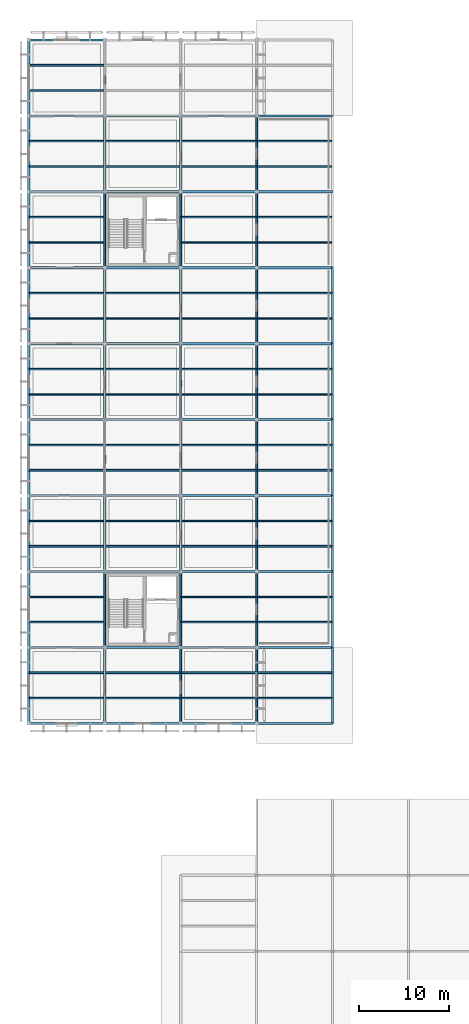
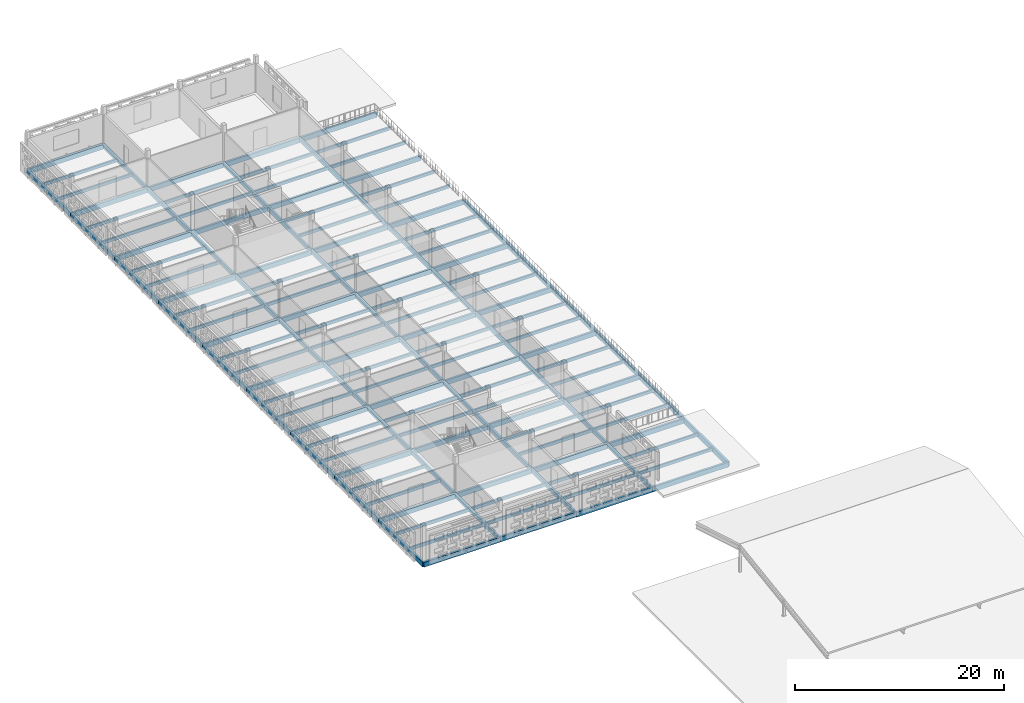
# One storey, part 7 of 31: 139 beams.
"""IFC4 building model written with IfcOpenShell, lengths in metres."""

from ifc_helpers import new_model, si_unit, direction, frame, origin, origin_2d, place, context, subcontext, project, spatial, rectangle, extrude, material, material_profile, profile_set, type_object, element, save


model = new_model("IFC4")

# Units and contexts
model_context = context("Model", 3, precision=1e-05, world=origin(), true_north=direction((0.0, 1.0)))
body_context = subcontext(model_context, "Body", "Model", "MODEL_VIEW")
ifc_project = project(units=[si_unit("LENGTHUNIT", "METRE"), si_unit("AREAUNIT", "SQUARE_METRE"), si_unit("VOLUMEUNIT", "CUBIC_METRE"), si_unit("PLANEANGLEUNIT", "RADIAN"), si_unit("MASSUNIT", "GRAM", prefix="KILO")], contexts=[model_context])

# Site, building, storey
site_placement = place(None, origin())
site = spatial("IfcSite", under=ifc_project, at=site_placement, CompositionType="ELEMENT")
building_placement = place(site_placement, origin())
building = spatial("IfcBuilding", under=site, at=building_placement, Name="Varnapada Polytechnic", CompositionType="ELEMENT")
storey_placement = place(building_placement, frame((0.0, 0.0, 22.199951171875)))
storey = spatial("IfcBuildingStorey", under=building, at=storey_placement, Name="L05", CompositionType="ELEMENT", Elevation=22.199951171875)

# Beams
ifc_material = material(Name="Glulam GL32h", Category="wood")
ifc_material_profile_1 = material_profile(ifc_material, rectangle(XDim=0.239990234375, YDim=0.56005859375, at=origin_2d()), Name="GL 240x560")
ifc_profile_set_1 = profile_set([ifc_material_profile_1], Name="Glulam GL32h")
beam_type_1 = type_object("IfcBeamType", Name="Perimeter glulam spandrel beam SP-02 (GL 240x560)", PredefinedType="SPANDREL", material=ifc_profile_set_1)
for number, where, z_axis, x_axis, name in (
    (1, (0.0, 50.39990234375, -0.5), (1.0, 0.0, 0.0), (0.0, 1.0, 0.0), "L05 beam X 1-2 at Y7"),
    (2, (0.0, 126.0, -0.5), (1.0, 0.0, 0.0), (0.0, 1.0, 0.0), "L05 beam X 1-2 at Y16"),
):
    element("IfcBeam", number, at=place(storey_placement, frame(where, z_axis=z_axis, x_axis=x_axis)), inside=storey, type_object=beam_type_1, Name=name, PredefinedType="SPANDREL", context=body_context, shape_type="SweptSolid", body=[
        extrude(rectangle(XDim=0.239990234375, YDim=0.56005859375, at=origin_2d()), origin(), (0.0, 0.0, 1.0), 8.39990234375),
    ])
beam_1_placement = place(storey_placement, frame((8.39990234375, 50.39990234375, -0.5), z_axis=(1.0, 0.0, 0.0), x_axis=(0.0, 1.0, 0.0)))
element("IfcBeam", 3, at=beam_1_placement, inside=storey, type_object=beam_type_1, Name="L05 beam X 2-3 at Y7", PredefinedType="SPANDREL", context=body_context, shape_type="SweptSolid", body=[
    extrude(rectangle(XDim=0.239990234375, YDim=0.56005859375, at=origin_2d()), origin(), (0.0, 0.0, 1.0), 8.400146484375),
])
beam_2_placement = place(storey_placement, frame((16.800048828125, 50.39990234375, -0.550048828125), z_axis=(1.0, 0.0, 0.0), x_axis=(0.0, 1.0, 0.0)))
element("IfcBeam", 4, at=beam_2_placement, inside=storey, type_object=beam_type_1, Name="L05 beam X 3-4 at Y7", PredefinedType="SPANDREL", context=body_context, shape_type="SweptSolid", body=[
    extrude(rectangle(XDim=0.239990234375, YDim=0.56005859375, at=origin_2d()), origin(), (0.0, 0.0, 1.0), 8.39990234375),
])
for number, where, z_axis, x_axis, name in (
    (5, (25.199951171875, 50.39990234375, -0.550048828125), (1.0, 0.0, 0.0), (0.0, 1.0, 0.0), "L05 beam X 4-5 at Y7"),
    (6, (0.0, 50.39990234375, -0.5), (0.0, 1.0, 0.0), (-1.0, 0.0, 0.0), "L05 beam Y 7-8 at X1"),
):
    element("IfcBeam", number, at=place(storey_placement, frame(where, z_axis=z_axis, x_axis=x_axis)), inside=storey, type_object=beam_type_1, Name=name, PredefinedType="SPANDREL", context=body_context, shape_type="SweptSolid", body=[
        extrude(rectangle(XDim=0.239990234375, YDim=0.56005859375, at=origin_2d()), origin(), (0.0, 0.0, 1.0), 8.400146484375),
    ])
beam_3_placement = place(storey_placement, frame((0.0, 58.800048828125, -0.5), z_axis=(0.0, 1.0, 0.0), x_axis=(-1.0, 0.0, 0.0)))
element("IfcBeam", 7, at=beam_3_placement, inside=storey, type_object=beam_type_1, Name="L05 beam Y 8-9 at X1", PredefinedType="SPANDREL", context=body_context, shape_type="SweptSolid", body=[
    extrude(rectangle(XDim=0.239990234375, YDim=0.56005859375, at=origin_2d()), origin(), (0.0, 0.0, 1.0), 8.39990234375),
])
beam_4_placement = place(storey_placement, frame((0.0, 67.199951171875, -0.5), z_axis=(0.0, 1.0, 0.0), x_axis=(-1.0, 0.0, 0.0)))
element("IfcBeam", 8, at=beam_4_placement, inside=storey, type_object=beam_type_1, Name="L05 beam Y 9-10 at X1", PredefinedType="SPANDREL", context=body_context, shape_type="SweptSolid", body=[
    extrude(rectangle(XDim=0.239990234375, YDim=0.56005859375, at=origin_2d()), origin(), (0.0, 0.0, 1.0), 8.400146484375),
])
for number, where, z_axis, x_axis, name in (
    (9, (0.0, 75.60009765625, -0.5), (0.0, 1.0, 0.0), (-1.0, 0.0, 0.0), "L05 beam Y 10-11 at X1"),
    (10, (0.0, 84.0, -0.5), (0.0, 1.0, 0.0), (-1.0, 0.0, 0.0), "L05 beam Y 11-12 at X1"),
):
    element("IfcBeam", number, at=place(storey_placement, frame(where, z_axis=z_axis, x_axis=x_axis)), inside=storey, type_object=beam_type_1, Name=name, PredefinedType="SPANDREL", context=body_context, shape_type="SweptSolid", body=[
        extrude(rectangle(XDim=0.239990234375, YDim=0.56005859375, at=origin_2d()), origin(), (0.0, 0.0, 1.0), 8.39990234375),
    ])
beam_5_placement = place(storey_placement, frame((0.0, 92.39990234375, -0.5), z_axis=(0.0, 1.0, 0.0), x_axis=(-1.0, 0.0, 0.0)))
element("IfcBeam", 11, at=beam_5_placement, inside=storey, type_object=beam_type_1, Name="L05 beam Y 12-13 at X1", PredefinedType="SPANDREL", context=body_context, shape_type="SweptSolid", body=[
    extrude(rectangle(XDim=0.239990234375, YDim=0.56005859375, at=origin_2d()), origin(), (0.0, 0.0, 1.0), 8.400146484375),
])
beam_6_placement = place(storey_placement, frame((0.0, 100.800048828125, -0.5), z_axis=(0.0, 1.0, 0.0), x_axis=(-1.0, 0.0, 0.0)))
element("IfcBeam", 12, at=beam_6_placement, inside=storey, type_object=beam_type_1, Name="L05 beam Y 13-14 at X1", PredefinedType="SPANDREL", context=body_context, shape_type="SweptSolid", body=[
    extrude(rectangle(XDim=0.239990234375, YDim=0.56005859375, at=origin_2d()), origin(), (0.0, 0.0, 1.0), 8.39990234375),
])
beam_7_placement = place(storey_placement, frame((0.0, 109.199951171875, -0.5), z_axis=(0.0, 1.0, 0.0), x_axis=(-1.0, 0.0, 0.0)))
element("IfcBeam", 13, at=beam_7_placement, inside=storey, type_object=beam_type_1, Name="L05 beam Y 14-15 at X1", PredefinedType="SPANDREL", context=body_context, shape_type="SweptSolid", body=[
    extrude(rectangle(XDim=0.239990234375, YDim=0.56005859375, at=origin_2d()), origin(), (0.0, 0.0, 1.0), 8.400146484375),
])
beam_8_placement = place(storey_placement, frame((0.0, 117.60009765625, -0.5), z_axis=(0.0, 1.0, 0.0), x_axis=(-1.0, 0.0, 0.0)))
element("IfcBeam", 14, at=beam_8_placement, inside=storey, type_object=beam_type_1, Name="L05 beam Y 15-16 at X1", PredefinedType="SPANDREL", context=body_context, shape_type="SweptSolid", body=[
    extrude(rectangle(XDim=0.239990234375, YDim=0.56005859375, at=origin_2d()), origin(), (0.0, 0.0, 1.0), 8.39990234375),
])
beam_9_placement = place(storey_placement, frame((33.60009765625, 50.39990234375, -0.550048828125), z_axis=(0.0, 1.0, 0.0), x_axis=(-1.0, 0.0, 0.0)))
element("IfcBeam", 15, at=beam_9_placement, inside=storey, type_object=beam_type_1, Name="L05 beam Y 7-8 at X5", PredefinedType="SPANDREL", context=body_context, shape_type="SweptSolid", body=[
    extrude(rectangle(XDim=0.239990234375, YDim=0.56005859375, at=origin_2d()), origin(), (0.0, 0.0, 1.0), 8.400146484375),
])
beam_10_placement = place(storey_placement, frame((33.60009765625, 58.800048828125, -0.550048828125), z_axis=(0.0, 1.0, 0.0), x_axis=(-1.0, 0.0, 0.0)))
element("IfcBeam", 16, at=beam_10_placement, inside=storey, type_object=beam_type_1, Name="L05 beam Y 8-9 at X5", PredefinedType="SPANDREL", context=body_context, shape_type="SweptSolid", body=[
    extrude(rectangle(XDim=0.239990234375, YDim=0.56005859375, at=origin_2d()), origin(), (0.0, 0.0, 1.0), 8.39990234375),
])
beam_11_placement = place(storey_placement, frame((33.60009765625, 67.199951171875, -0.510009765625), z_axis=(0.0, 1.0, 0.0), x_axis=(-1.0, 0.0, 0.0)))
element("IfcBeam", 17, at=beam_11_placement, inside=storey, type_object=beam_type_1, Name="L05 beam Y 9-10 at X5", PredefinedType="SPANDREL", context=body_context, shape_type="SweptSolid", body=[
    extrude(rectangle(XDim=0.239990234375, YDim=0.56005859375, at=origin_2d()), origin(), (0.0, 0.0, 1.0), 8.400146484375),
])
for number, where, z_axis, x_axis, name in (
    (18, (33.60009765625, 75.60009765625, -0.510009765625), (0.0, 1.0, 0.0), (-1.0, 0.0, 0.0), "L05 beam Y 10-11 at X5"),
    (19, (33.60009765625, 84.0, -0.510009765625), (0.0, 1.0, 0.0), (-1.0, 0.0, 0.0), "L05 beam Y 11-12 at X5"),
):
    element("IfcBeam", number, at=place(storey_placement, frame(where, z_axis=z_axis, x_axis=x_axis)), inside=storey, type_object=beam_type_1, Name=name, PredefinedType="SPANDREL", context=body_context, shape_type="SweptSolid", body=[
        extrude(rectangle(XDim=0.239990234375, YDim=0.56005859375, at=origin_2d()), origin(), (0.0, 0.0, 1.0), 8.39990234375),
    ])
beam_12_placement = place(storey_placement, frame((33.60009765625, 92.39990234375, -0.510009765625), z_axis=(0.0, 1.0, 0.0), x_axis=(-1.0, 0.0, 0.0)))
element("IfcBeam", 20, at=beam_12_placement, inside=storey, type_object=beam_type_1, Name="L05 beam Y 12-13 at X5", PredefinedType="SPANDREL", context=body_context, shape_type="SweptSolid", body=[
    extrude(rectangle(XDim=0.239990234375, YDim=0.56005859375, at=origin_2d()), origin(), (0.0, 0.0, 1.0), 8.400146484375),
])
ifc_material_profile_2 = material_profile(ifc_material, rectangle(XDim=0.239990234375, YDim=0.56005859375, at=origin_2d()), Name="GL 240x560")
ifc_profile_set_2 = profile_set([ifc_material_profile_2], Name="Glulam GL32h")
beam_type_2 = type_object("IfcBeamType", Name="Studio primary glulam girder GG-03 (GL 240x560)", PredefinedType="BEAM", material=ifc_profile_set_2)
for number, where, z_axis, x_axis, name in (
    (21, (0.0, 58.800048828125, -0.5), (1.0, 0.0, 0.0), (0.0, 1.0, 0.0), "L05 beam X 1-2 at Y8"),
    (22, (0.0, 67.199951171875, -0.5), (1.0, 0.0, 0.0), (0.0, 1.0, 0.0), "L05 beam X 1-2 at Y9"),
    (23, (0.0, 75.60009765625, -0.5), (1.0, 0.0, 0.0), (0.0, 1.0, 0.0), "L05 beam X 1-2 at Y10"),
    (24, (0.0, 84.0, -0.5), (1.0, 0.0, 0.0), (0.0, 1.0, 0.0), "L05 beam X 1-2 at Y11"),
    (25, (0.0, 92.39990234375, -0.5), (1.0, 0.0, 0.0), (0.0, 1.0, 0.0), "L05 beam X 1-2 at Y12"),
    (26, (0.0, 100.800048828125, -0.5), (1.0, 0.0, 0.0), (0.0, 1.0, 0.0), "L05 beam X 1-2 at Y13"),
    (27, (0.0, 109.199951171875, -0.5), (1.0, 0.0, 0.0), (0.0, 1.0, 0.0), "L05 beam X 1-2 at Y14"),
    (28, (0.0, 117.60009765625, -0.5), (1.0, 0.0, 0.0), (0.0, 1.0, 0.0), "L05 beam X 1-2 at Y15"),
):
    element("IfcBeam", number, at=place(storey_placement, frame(where, z_axis=z_axis, x_axis=x_axis)), inside=storey, type_object=beam_type_2, Name=name, PredefinedType="BEAM", context=body_context, shape_type="SweptSolid", body=[
        extrude(rectangle(XDim=0.239990234375, YDim=0.56005859375, at=origin_2d()), origin(), (0.0, 0.0, 1.0), 8.39990234375),
    ])
for number, where, z_axis, x_axis, name in (
    (29, (8.39990234375, 58.800048828125, -0.5), (1.0, 0.0, 0.0), (0.0, 1.0, 0.0), "L05 beam X 2-3 at Y8"),
    (30, (8.39990234375, 67.199951171875, -0.5), (1.0, 0.0, 0.0), (0.0, 1.0, 0.0), "L05 beam X 2-3 at Y9"),
    (31, (8.39990234375, 75.60009765625, -0.5), (1.0, 0.0, 0.0), (0.0, 1.0, 0.0), "L05 beam X 2-3 at Y10"),
    (32, (8.39990234375, 84.0, -0.5), (1.0, 0.0, 0.0), (0.0, 1.0, 0.0), "L05 beam X 2-3 at Y11"),
    (33, (8.39990234375, 92.39990234375, -0.5), (1.0, 0.0, 0.0), (0.0, 1.0, 0.0), "L05 beam X 2-3 at Y12"),
    (34, (8.39990234375, 100.800048828125, -0.5), (1.0, 0.0, 0.0), (0.0, 1.0, 0.0), "L05 beam X 2-3 at Y13"),
    (35, (8.39990234375, 109.199951171875, -0.5), (1.0, 0.0, 0.0), (0.0, 1.0, 0.0), "L05 beam X 2-3 at Y14"),
    (36, (8.39990234375, 117.60009765625, -0.5), (1.0, 0.0, 0.0), (0.0, 1.0, 0.0), "L05 beam X 2-3 at Y15"),
):
    element("IfcBeam", number, at=place(storey_placement, frame(where, z_axis=z_axis, x_axis=x_axis)), inside=storey, type_object=beam_type_2, Name=name, PredefinedType="BEAM", context=body_context, shape_type="SweptSolid", body=[
        extrude(rectangle(XDim=0.239990234375, YDim=0.56005859375, at=origin_2d()), origin(), (0.0, 0.0, 1.0), 8.400146484375),
    ])
for number, where, z_axis, x_axis, name in (
    (37, (16.800048828125, 58.800048828125, -0.550048828125), (1.0, 0.0, 0.0), (0.0, 1.0, 0.0), "L05 beam X 3-4 at Y8"),
    (38, (16.800048828125, 67.199951171875, -0.510009765625), (1.0, 0.0, 0.0), (0.0, 1.0, 0.0), "L05 beam X 3-4 at Y9"),
    (39, (16.800048828125, 75.60009765625, -0.510009765625), (1.0, 0.0, 0.0), (0.0, 1.0, 0.0), "L05 beam X 3-4 at Y10"),
    (40, (16.800048828125, 84.0, -0.510009765625), (1.0, 0.0, 0.0), (0.0, 1.0, 0.0), "L05 beam X 3-4 at Y11"),
    (41, (16.800048828125, 92.39990234375, -0.510009765625), (1.0, 0.0, 0.0), (0.0, 1.0, 0.0), "L05 beam X 3-4 at Y12"),
    (42, (16.800048828125, 100.800048828125, -0.510009765625), (1.0, 0.0, 0.0), (0.0, 1.0, 0.0), "L05 beam X 3-4 at Y13"),
    (43, (16.800048828125, 109.199951171875, -0.510009765625), (1.0, 0.0, 0.0), (0.0, 1.0, 0.0), "L05 beam X 3-4 at Y14"),
    (44, (16.800048828125, 117.60009765625, -0.550048828125), (1.0, 0.0, 0.0), (0.0, 1.0, 0.0), "L05 beam X 3-4 at Y15"),
):
    element("IfcBeam", number, at=place(storey_placement, frame(where, z_axis=z_axis, x_axis=x_axis)), inside=storey, type_object=beam_type_2, Name=name, PredefinedType="BEAM", context=body_context, shape_type="SweptSolid", body=[
        extrude(rectangle(XDim=0.239990234375, YDim=0.56005859375, at=origin_2d()), origin(), (0.0, 0.0, 1.0), 8.39990234375),
    ])
for number, where, z_axis, x_axis, name in (
    (45, (25.199951171875, 58.800048828125, -0.550048828125), (1.0, 0.0, 0.0), (0.0, 1.0, 0.0), "L05 beam X 4-5 at Y8"),
    (46, (25.199951171875, 67.199951171875, -0.510009765625), (1.0, 0.0, 0.0), (0.0, 1.0, 0.0), "L05 beam X 4-5 at Y9"),
    (47, (25.199951171875, 75.60009765625, -0.510009765625), (1.0, 0.0, 0.0), (0.0, 1.0, 0.0), "L05 beam X 4-5 at Y10"),
    (48, (25.199951171875, 84.0, -0.510009765625), (1.0, 0.0, 0.0), (0.0, 1.0, 0.0), "L05 beam X 4-5 at Y11"),
    (49, (25.199951171875, 92.39990234375, -0.510009765625), (1.0, 0.0, 0.0), (0.0, 1.0, 0.0), "L05 beam X 4-5 at Y12"),
    (50, (25.199951171875, 100.800048828125, -0.510009765625), (1.0, 0.0, 0.0), (0.0, 1.0, 0.0), "L05 beam X 4-5 at Y13"),
    (51, (25.199951171875, 109.199951171875, -0.510009765625), (1.0, 0.0, 0.0), (0.0, 1.0, 0.0), "L05 beam X 4-5 at Y14"),
    (52, (25.199951171875, 117.60009765625, -0.550048828125), (1.0, 0.0, 0.0), (0.0, 1.0, 0.0), "L05 beam X 4-5 at Y15"),
):
    element("IfcBeam", number, at=place(storey_placement, frame(where, z_axis=z_axis, x_axis=x_axis)), inside=storey, type_object=beam_type_2, Name=name, PredefinedType="BEAM", context=body_context, shape_type="SweptSolid", body=[
        extrude(rectangle(XDim=0.239990234375, YDim=0.56005859375, at=origin_2d()), origin(), (0.0, 0.0, 1.0), 8.400146484375),
    ])
ifc_material_profile_3 = material_profile(ifc_material, rectangle(XDim=0.179931640625, YDim=0.360107421875, at=origin_2d()), Name="GL 180x360")
ifc_profile_set_3 = profile_set([ifc_material_profile_3], Name="Glulam GL32h")
beam_type_3 = type_object("IfcBeamType", Name="Studio/seminar glulam floor joist GJ-02 (GL 180x360)", PredefinedType="JOIST", material=ifc_profile_set_3)
for number, where, z_axis, x_axis, name in (
    (53, (0.080078125, 53.199951171875, -0.39990234375), (1.0, 0.0, 0.0), (0.0, 1.0, 0.0), "L05 floor joist 1/7.1"),
    (54, (0.080078125, 56.0, -0.39990234375), (1.0, 0.0, 0.0), (0.0, 1.0, 0.0), "L05 floor joist 1/7.2"),
    (55, (0.080078125, 61.60009765625, -0.39990234375), (1.0, 0.0, 0.0), (0.0, 1.0, 0.0), "L05 floor joist 1/8.1"),
    (56, (0.080078125, 64.39990234375, -0.39990234375), (1.0, 0.0, 0.0), (0.0, 1.0, 0.0), "L05 floor joist 1/8.2"),
    (57, (0.080078125, 70.0, -0.39990234375), (1.0, 0.0, 0.0), (0.0, 1.0, 0.0), "L05 floor joist 1/9.1"),
    (58, (0.080078125, 72.800048828125, -0.39990234375), (1.0, 0.0, 0.0), (0.0, 1.0, 0.0), "L05 floor joist 1/9.2"),
    (59, (0.080078125, 78.39990234375, -0.39990234375), (1.0, 0.0, 0.0), (0.0, 1.0, 0.0), "L05 floor joist 1/10.1"),
    (60, (0.080078125, 81.199951171875, -0.39990234375), (1.0, 0.0, 0.0), (0.0, 1.0, 0.0), "L05 floor joist 1/10.2"),
    (61, (0.080078125, 86.800048828125, -0.39990234375), (1.0, 0.0, 0.0), (0.0, 1.0, 0.0), "L05 floor joist 1/11.1"),
    (62, (0.080078125, 89.60009765625, -0.39990234375), (1.0, 0.0, 0.0), (0.0, 1.0, 0.0), "L05 floor joist 1/11.2"),
    (63, (0.080078125, 95.199951171875, -0.39990234375), (1.0, 0.0, 0.0), (0.0, 1.0, 0.0), "L05 floor joist 1/12.1"),
    (64, (0.080078125, 98.0, -0.39990234375), (1.0, 0.0, 0.0), (0.0, 1.0, 0.0), "L05 floor joist 1/12.2"),
    (65, (0.080078125, 103.60009765625, -0.39990234375), (1.0, 0.0, 0.0), (0.0, 1.0, 0.0), "L05 floor joist 1/13.1"),
    (66, (0.080078125, 106.39990234375, -0.39990234375), (1.0, 0.0, 0.0), (0.0, 1.0, 0.0), "L05 floor joist 1/13.2"),
    (67, (0.080078125, 112.0, -0.39990234375), (1.0, 0.0, 0.0), (0.0, 1.0, 0.0), "L05 floor joist 1/14.1"),
    (68, (0.080078125, 114.800048828125, -0.39990234375), (1.0, 0.0, 0.0), (0.0, 1.0, 0.0), "L05 floor joist 1/14.2"),
    (69, (0.080078125, 120.39990234375, -0.39990234375), (1.0, 0.0, 0.0), (0.0, 1.0, 0.0), "L05 floor joist 1/15.1"),
    (70, (0.080078125, 123.199951171875, -0.39990234375), (1.0, 0.0, 0.0), (0.0, 1.0, 0.0), "L05 floor joist 1/15.2"),
    (71, (8.47998046875, 53.199951171875, -0.39990234375), (1.0, 0.0, 0.0), (0.0, 1.0, 0.0), "L05 floor joist 2/7.1"),
    (72, (8.47998046875, 56.0, -0.39990234375), (1.0, 0.0, 0.0), (0.0, 1.0, 0.0), "L05 floor joist 2/7.2"),
    (73, (8.47998046875, 70.0, -0.39990234375), (1.0, 0.0, 0.0), (0.0, 1.0, 0.0), "L05 floor joist 2/9.1"),
    (74, (8.47998046875, 72.800048828125, -0.39990234375), (1.0, 0.0, 0.0), (0.0, 1.0, 0.0), "L05 floor joist 2/9.2"),
    (75, (8.47998046875, 78.39990234375, -0.39990234375), (1.0, 0.0, 0.0), (0.0, 1.0, 0.0), "L05 floor joist 2/10.1"),
    (76, (8.47998046875, 81.199951171875, -0.39990234375), (1.0, 0.0, 0.0), (0.0, 1.0, 0.0), "L05 floor joist 2/10.2"),
    (77, (8.47998046875, 86.800048828125, -0.39990234375), (1.0, 0.0, 0.0), (0.0, 1.0, 0.0), "L05 floor joist 2/11.1"),
    (78, (8.47998046875, 89.60009765625, -0.39990234375), (1.0, 0.0, 0.0), (0.0, 1.0, 0.0), "L05 floor joist 2/11.2"),
    (79, (8.47998046875, 95.199951171875, -0.39990234375), (1.0, 0.0, 0.0), (0.0, 1.0, 0.0), "L05 floor joist 2/12.1"),
    (80, (8.47998046875, 98.0, -0.39990234375), (1.0, 0.0, 0.0), (0.0, 1.0, 0.0), "L05 floor joist 2/12.2"),
    (81, (8.47998046875, 112.0, -0.39990234375), (1.0, 0.0, 0.0), (0.0, 1.0, 0.0), "L05 floor joist 2/14.1"),
    (82, (8.47998046875, 114.800048828125, -0.39990234375), (1.0, 0.0, 0.0), (0.0, 1.0, 0.0), "L05 floor joist 2/14.2"),
):
    element("IfcBeam", number, at=place(storey_placement, frame(where, z_axis=z_axis, x_axis=x_axis)), inside=storey, type_object=beam_type_3, Name=name, PredefinedType="JOIST", context=body_context, shape_type="SweptSolid", body=[
        extrude(rectangle(XDim=0.179931640625, YDim=0.360107421875, at=origin_2d()), origin(), (0.0, 0.0, 1.0), 8.239990234375),
    ])
for number, where, z_axis, x_axis, name in (
    (83, (16.8798828125, 53.199951171875, -0.449951171875), (1.0, 0.0, 0.0), (0.0, 1.0, 0.0), "L05 floor joist 3/7.1"),
    (84, (16.8798828125, 56.0, -0.449951171875), (1.0, 0.0, 0.0), (0.0, 1.0, 0.0), "L05 floor joist 3/7.2"),
    (85, (16.8798828125, 61.60009765625, -0.409912109375), (1.0, 0.0, 0.0), (0.0, 1.0, 0.0), "L05 floor joist 3/8.1"),
    (86, (16.8798828125, 64.39990234375, -0.409912109375), (1.0, 0.0, 0.0), (0.0, 1.0, 0.0), "L05 floor joist 3/8.2"),
    (87, (16.8798828125, 70.0, -0.409912109375), (1.0, 0.0, 0.0), (0.0, 1.0, 0.0), "L05 floor joist 3/9.1"),
    (88, (16.8798828125, 72.800048828125, -0.409912109375), (1.0, 0.0, 0.0), (0.0, 1.0, 0.0), "L05 floor joist 3/9.2"),
    (89, (16.8798828125, 78.39990234375, -0.409912109375), (1.0, 0.0, 0.0), (0.0, 1.0, 0.0), "L05 floor joist 3/10.1"),
    (90, (16.8798828125, 81.199951171875, -0.409912109375), (1.0, 0.0, 0.0), (0.0, 1.0, 0.0), "L05 floor joist 3/10.2"),
    (91, (16.8798828125, 86.800048828125, -0.409912109375), (1.0, 0.0, 0.0), (0.0, 1.0, 0.0), "L05 floor joist 3/11.1"),
    (92, (16.8798828125, 89.60009765625, -0.409912109375), (1.0, 0.0, 0.0), (0.0, 1.0, 0.0), "L05 floor joist 3/11.2"),
    (93, (16.8798828125, 95.199951171875, -0.409912109375), (1.0, 0.0, 0.0), (0.0, 1.0, 0.0), "L05 floor joist 3/12.1"),
    (94, (16.8798828125, 98.0, -0.409912109375), (1.0, 0.0, 0.0), (0.0, 1.0, 0.0), "L05 floor joist 3/12.2"),
    (95, (16.8798828125, 103.60009765625, -0.409912109375), (1.0, 0.0, 0.0), (0.0, 1.0, 0.0), "L05 floor joist 3/13.1"),
    (96, (16.8798828125, 106.39990234375, -0.409912109375), (1.0, 0.0, 0.0), (0.0, 1.0, 0.0), "L05 floor joist 3/13.2"),
    (97, (16.8798828125, 112.0, -0.409912109375), (1.0, 0.0, 0.0), (0.0, 1.0, 0.0), "L05 floor joist 3/14.1"),
    (98, (16.8798828125, 114.800048828125, -0.409912109375), (1.0, 0.0, 0.0), (0.0, 1.0, 0.0), "L05 floor joist 3/14.2"),
):
    element("IfcBeam", number, at=place(storey_placement, frame(where, z_axis=z_axis, x_axis=x_axis)), inside=storey, type_object=beam_type_3, Name=name, PredefinedType="JOIST", context=body_context, shape_type="SweptSolid", body=[
        extrude(rectangle(XDim=0.179931640625, YDim=0.360107421875, at=origin_2d()), origin(), (0.0, 0.0, 1.0), 8.240234375),
    ])
for number, where, z_axis, x_axis, name in (
    (99, (25.280029296875, 53.199951171875, -0.449951171875), (1.0, 0.0, 0.0), (0.0, 1.0, 0.0), "L05 floor joist 4/7.1"),
    (100, (25.280029296875, 56.0, -0.449951171875), (1.0, 0.0, 0.0), (0.0, 1.0, 0.0), "L05 floor joist 4/7.2"),
    (101, (25.280029296875, 61.60009765625, -0.409912109375), (1.0, 0.0, 0.0), (0.0, 1.0, 0.0), "L05 floor joist 4/8.1"),
    (102, (25.280029296875, 64.39990234375, -0.409912109375), (1.0, 0.0, 0.0), (0.0, 1.0, 0.0), "L05 floor joist 4/8.2"),
    (103, (25.280029296875, 70.0, -0.409912109375), (1.0, 0.0, 0.0), (0.0, 1.0, 0.0), "L05 floor joist 4/9.1"),
    (104, (25.280029296875, 72.800048828125, -0.409912109375), (1.0, 0.0, 0.0), (0.0, 1.0, 0.0), "L05 floor joist 4/9.2"),
    (105, (25.280029296875, 78.39990234375, -0.409912109375), (1.0, 0.0, 0.0), (0.0, 1.0, 0.0), "L05 floor joist 4/10.1"),
    (106, (25.280029296875, 81.199951171875, -0.409912109375), (1.0, 0.0, 0.0), (0.0, 1.0, 0.0), "L05 floor joist 4/10.2"),
    (107, (25.280029296875, 86.800048828125, -0.409912109375), (1.0, 0.0, 0.0), (0.0, 1.0, 0.0), "L05 floor joist 4/11.1"),
    (108, (25.280029296875, 89.60009765625, -0.409912109375), (1.0, 0.0, 0.0), (0.0, 1.0, 0.0), "L05 floor joist 4/11.2"),
    (109, (25.280029296875, 95.199951171875, -0.409912109375), (1.0, 0.0, 0.0), (0.0, 1.0, 0.0), "L05 floor joist 4/12.1"),
    (110, (25.280029296875, 98.0, -0.409912109375), (1.0, 0.0, 0.0), (0.0, 1.0, 0.0), "L05 floor joist 4/12.2"),
    (111, (25.280029296875, 103.60009765625, -0.409912109375), (1.0, 0.0, 0.0), (0.0, 1.0, 0.0), "L05 floor joist 4/13.1"),
    (112, (25.280029296875, 106.39990234375, -0.409912109375), (1.0, 0.0, 0.0), (0.0, 1.0, 0.0), "L05 floor joist 4/13.2"),
    (113, (25.280029296875, 112.0, -0.409912109375), (1.0, 0.0, 0.0), (0.0, 1.0, 0.0), "L05 floor joist 4/14.1"),
    (114, (25.280029296875, 114.800048828125, -0.409912109375), (1.0, 0.0, 0.0), (0.0, 1.0, 0.0), "L05 floor joist 4/14.2"),
):
    element("IfcBeam", number, at=place(storey_placement, frame(where, z_axis=z_axis, x_axis=x_axis)), inside=storey, type_object=beam_type_3, Name=name, PredefinedType="JOIST", context=body_context, shape_type="SweptSolid", body=[
        extrude(rectangle(XDim=0.179931640625, YDim=0.360107421875, at=origin_2d()), origin(), (0.0, 0.0, 1.0), 8.239990234375),
    ])
ifc_material_profile_4 = material_profile(ifc_material, rectangle(XDim=0.219970703125, YDim=0.47998046875, at=origin_2d()), Name="GL 220x480")
ifc_profile_set_4 = profile_set([ifc_material_profile_4], Name="Glulam GL32h")
beam_type_4 = type_object("IfcBeamType", Name="Upper floor glulam tie beam GB-11 (GL 220x480)", PredefinedType="BEAM", material=ifc_profile_set_4)
beam_13_placement = place(storey_placement, frame((8.39990234375, 50.39990234375, -0.4599609375), z_axis=(0.0, 1.0, 0.0), x_axis=(-1.0, 0.0, 0.0)))
element("IfcBeam", 115, at=beam_13_placement, inside=storey, type_object=beam_type_4, Name="L05 beam Y 7-8 at X2", PredefinedType="BEAM", context=body_context, shape_type="SweptSolid", body=[
    extrude(rectangle(XDim=0.219970703125, YDim=0.47998046875, at=origin_2d()), origin(), (0.0, 0.0, 1.0), 8.400146484375),
])
beam_14_placement = place(storey_placement, frame((8.39990234375, 58.800048828125, -0.4599609375), z_axis=(0.0, 1.0, 0.0), x_axis=(-1.0, 0.0, 0.0)))
element("IfcBeam", 116, at=beam_14_placement, inside=storey, type_object=beam_type_4, Name="L05 beam Y 8-9 at X2", PredefinedType="BEAM", context=body_context, shape_type="SweptSolid", body=[
    extrude(rectangle(XDim=0.219970703125, YDim=0.47998046875, at=origin_2d()), origin(), (0.0, 0.0, 1.0), 8.39990234375),
])
beam_15_placement = place(storey_placement, frame((8.39990234375, 67.199951171875, -0.4599609375), z_axis=(0.0, 1.0, 0.0), x_axis=(-1.0, 0.0, 0.0)))
element("IfcBeam", 117, at=beam_15_placement, inside=storey, type_object=beam_type_4, Name="L05 beam Y 9-10 at X2", PredefinedType="BEAM", context=body_context, shape_type="SweptSolid", body=[
    extrude(rectangle(XDim=0.219970703125, YDim=0.47998046875, at=origin_2d()), origin(), (0.0, 0.0, 1.0), 8.400146484375),
])
for number, where, z_axis, x_axis, name in (
    (118, (8.39990234375, 75.60009765625, -0.4599609375), (0.0, 1.0, 0.0), (-1.0, 0.0, 0.0), "L05 beam Y 10-11 at X2"),
    (119, (8.39990234375, 84.0, -0.4599609375), (0.0, 1.0, 0.0), (-1.0, 0.0, 0.0), "L05 beam Y 11-12 at X2"),
):
    element("IfcBeam", number, at=place(storey_placement, frame(where, z_axis=z_axis, x_axis=x_axis)), inside=storey, type_object=beam_type_4, Name=name, PredefinedType="BEAM", context=body_context, shape_type="SweptSolid", body=[
        extrude(rectangle(XDim=0.219970703125, YDim=0.47998046875, at=origin_2d()), origin(), (0.0, 0.0, 1.0), 8.39990234375),
    ])
beam_16_placement = place(storey_placement, frame((8.39990234375, 92.39990234375, -0.4599609375), z_axis=(0.0, 1.0, 0.0), x_axis=(-1.0, 0.0, 0.0)))
element("IfcBeam", 120, at=beam_16_placement, inside=storey, type_object=beam_type_4, Name="L05 beam Y 12-13 at X2", PredefinedType="BEAM", context=body_context, shape_type="SweptSolid", body=[
    extrude(rectangle(XDim=0.219970703125, YDim=0.47998046875, at=origin_2d()), origin(), (0.0, 0.0, 1.0), 8.400146484375),
])
beam_17_placement = place(storey_placement, frame((8.39990234375, 100.800048828125, -0.4599609375), z_axis=(0.0, 1.0, 0.0), x_axis=(-1.0, 0.0, 0.0)))
element("IfcBeam", 121, at=beam_17_placement, inside=storey, type_object=beam_type_4, Name="L05 beam Y 13-14 at X2", PredefinedType="BEAM", context=body_context, shape_type="SweptSolid", body=[
    extrude(rectangle(XDim=0.219970703125, YDim=0.47998046875, at=origin_2d()), origin(), (0.0, 0.0, 1.0), 8.39990234375),
])
beam_18_placement = place(storey_placement, frame((8.39990234375, 109.199951171875, -0.4599609375), z_axis=(0.0, 1.0, 0.0), x_axis=(-1.0, 0.0, 0.0)))
element("IfcBeam", 122, at=beam_18_placement, inside=storey, type_object=beam_type_4, Name="L05 beam Y 14-15 at X2", PredefinedType="BEAM", context=body_context, shape_type="SweptSolid", body=[
    extrude(rectangle(XDim=0.219970703125, YDim=0.47998046875, at=origin_2d()), origin(), (0.0, 0.0, 1.0), 8.400146484375),
])
beam_19_placement = place(storey_placement, frame((8.39990234375, 117.60009765625, -0.4599609375), z_axis=(0.0, 1.0, 0.0), x_axis=(-1.0, 0.0, 0.0)))
element("IfcBeam", 123, at=beam_19_placement, inside=storey, type_object=beam_type_4, Name="L05 beam Y 15-16 at X2", PredefinedType="BEAM", context=body_context, shape_type="SweptSolid", body=[
    extrude(rectangle(XDim=0.219970703125, YDim=0.47998046875, at=origin_2d()), origin(), (0.0, 0.0, 1.0), 8.39990234375),
])
beam_20_placement = place(storey_placement, frame((16.800048828125, 50.39990234375, -0.4599609375), z_axis=(0.0, 1.0, 0.0), x_axis=(-1.0, 0.0, 0.0)))
element("IfcBeam", 124, at=beam_20_placement, inside=storey, type_object=beam_type_4, Name="L05 beam Y 7-8 at X3", PredefinedType="BEAM", context=body_context, shape_type="SweptSolid", body=[
    extrude(rectangle(XDim=0.219970703125, YDim=0.47998046875, at=origin_2d()), origin(), (0.0, 0.0, 1.0), 8.400146484375),
])
beam_21_placement = place(storey_placement, frame((16.800048828125, 58.800048828125, -0.4599609375), z_axis=(0.0, 1.0, 0.0), x_axis=(-1.0, 0.0, 0.0)))
element("IfcBeam", 125, at=beam_21_placement, inside=storey, type_object=beam_type_4, Name="L05 beam Y 8-9 at X3", PredefinedType="BEAM", context=body_context, shape_type="SweptSolid", body=[
    extrude(rectangle(XDim=0.219970703125, YDim=0.47998046875, at=origin_2d()), origin(), (0.0, 0.0, 1.0), 8.39990234375),
])
beam_22_placement = place(storey_placement, frame((16.800048828125, 67.199951171875, -0.4599609375), z_axis=(0.0, 1.0, 0.0), x_axis=(-1.0, 0.0, 0.0)))
element("IfcBeam", 126, at=beam_22_placement, inside=storey, type_object=beam_type_4, Name="L05 beam Y 9-10 at X3", PredefinedType="BEAM", context=body_context, shape_type="SweptSolid", body=[
    extrude(rectangle(XDim=0.219970703125, YDim=0.47998046875, at=origin_2d()), origin(), (0.0, 0.0, 1.0), 8.400146484375),
])
for number, where, z_axis, x_axis, name in (
    (127, (16.800048828125, 75.60009765625, -0.4599609375), (0.0, 1.0, 0.0), (-1.0, 0.0, 0.0), "L05 beam Y 10-11 at X3"),
    (128, (16.800048828125, 84.0, -0.4599609375), (0.0, 1.0, 0.0), (-1.0, 0.0, 0.0), "L05 beam Y 11-12 at X3"),
):
    element("IfcBeam", number, at=place(storey_placement, frame(where, z_axis=z_axis, x_axis=x_axis)), inside=storey, type_object=beam_type_4, Name=name, PredefinedType="BEAM", context=body_context, shape_type="SweptSolid", body=[
        extrude(rectangle(XDim=0.219970703125, YDim=0.47998046875, at=origin_2d()), origin(), (0.0, 0.0, 1.0), 8.39990234375),
    ])
beam_23_placement = place(storey_placement, frame((16.800048828125, 92.39990234375, -0.4599609375), z_axis=(0.0, 1.0, 0.0), x_axis=(-1.0, 0.0, 0.0)))
element("IfcBeam", 129, at=beam_23_placement, inside=storey, type_object=beam_type_4, Name="L05 beam Y 12-13 at X3", PredefinedType="BEAM", context=body_context, shape_type="SweptSolid", body=[
    extrude(rectangle(XDim=0.219970703125, YDim=0.47998046875, at=origin_2d()), origin(), (0.0, 0.0, 1.0), 8.400146484375),
])
beam_24_placement = place(storey_placement, frame((16.800048828125, 100.800048828125, -0.4599609375), z_axis=(0.0, 1.0, 0.0), x_axis=(-1.0, 0.0, 0.0)))
element("IfcBeam", 130, at=beam_24_placement, inside=storey, type_object=beam_type_4, Name="L05 beam Y 13-14 at X3", PredefinedType="BEAM", context=body_context, shape_type="SweptSolid", body=[
    extrude(rectangle(XDim=0.219970703125, YDim=0.47998046875, at=origin_2d()), origin(), (0.0, 0.0, 1.0), 8.39990234375),
])
for number, where, z_axis, x_axis, name in (
    (131, (16.800048828125, 109.199951171875, -0.4599609375), (0.0, 1.0, 0.0), (-1.0, 0.0, 0.0), "L05 beam Y 14-15 at X3"),
    (132, (25.199951171875, 50.39990234375, -0.510009765625), (0.0, 1.0, 0.0), (-1.0, 0.0, 0.0), "L05 beam Y 7-8 at X4"),
):
    element("IfcBeam", number, at=place(storey_placement, frame(where, z_axis=z_axis, x_axis=x_axis)), inside=storey, type_object=beam_type_4, Name=name, PredefinedType="BEAM", context=body_context, shape_type="SweptSolid", body=[
        extrude(rectangle(XDim=0.219970703125, YDim=0.47998046875, at=origin_2d()), origin(), (0.0, 0.0, 1.0), 8.400146484375),
    ])
beam_25_placement = place(storey_placement, frame((25.199951171875, 58.800048828125, -0.510009765625), z_axis=(0.0, 1.0, 0.0), x_axis=(-1.0, 0.0, 0.0)))
element("IfcBeam", 133, at=beam_25_placement, inside=storey, type_object=beam_type_4, Name="L05 beam Y 8-9 at X4", PredefinedType="BEAM", context=body_context, shape_type="SweptSolid", body=[
    extrude(rectangle(XDim=0.219970703125, YDim=0.47998046875, at=origin_2d()), origin(), (0.0, 0.0, 1.0), 8.39990234375),
])
beam_26_placement = place(storey_placement, frame((25.199951171875, 67.199951171875, -0.469970703125), z_axis=(0.0, 1.0, 0.0), x_axis=(-1.0, 0.0, 0.0)))
element("IfcBeam", 134, at=beam_26_placement, inside=storey, type_object=beam_type_4, Name="L05 beam Y 9-10 at X4", PredefinedType="BEAM", context=body_context, shape_type="SweptSolid", body=[
    extrude(rectangle(XDim=0.219970703125, YDim=0.47998046875, at=origin_2d()), origin(), (0.0, 0.0, 1.0), 8.400146484375),
])
for number, where, z_axis, x_axis, name in (
    (135, (25.199951171875, 75.60009765625, -0.469970703125), (0.0, 1.0, 0.0), (-1.0, 0.0, 0.0), "L05 beam Y 10-11 at X4"),
    (136, (25.199951171875, 84.0, -0.469970703125), (0.0, 1.0, 0.0), (-1.0, 0.0, 0.0), "L05 beam Y 11-12 at X4"),
):
    element("IfcBeam", number, at=place(storey_placement, frame(where, z_axis=z_axis, x_axis=x_axis)), inside=storey, type_object=beam_type_4, Name=name, PredefinedType="BEAM", context=body_context, shape_type="SweptSolid", body=[
        extrude(rectangle(XDim=0.219970703125, YDim=0.47998046875, at=origin_2d()), origin(), (0.0, 0.0, 1.0), 8.39990234375),
    ])
beam_27_placement = place(storey_placement, frame((25.199951171875, 92.39990234375, -0.469970703125), z_axis=(0.0, 1.0, 0.0), x_axis=(-1.0, 0.0, 0.0)))
element("IfcBeam", 137, at=beam_27_placement, inside=storey, type_object=beam_type_4, Name="L05 beam Y 12-13 at X4", PredefinedType="BEAM", context=body_context, shape_type="SweptSolid", body=[
    extrude(rectangle(XDim=0.219970703125, YDim=0.47998046875, at=origin_2d()), origin(), (0.0, 0.0, 1.0), 8.400146484375),
])
beam_28_placement = place(storey_placement, frame((25.199951171875, 100.800048828125, -0.469970703125), z_axis=(0.0, 1.0, 0.0), x_axis=(-1.0, 0.0, 0.0)))
element("IfcBeam", 138, at=beam_28_placement, inside=storey, type_object=beam_type_4, Name="L05 beam Y 13-14 at X4", PredefinedType="BEAM", context=body_context, shape_type="SweptSolid", body=[
    extrude(rectangle(XDim=0.219970703125, YDim=0.47998046875, at=origin_2d()), origin(), (0.0, 0.0, 1.0), 8.39990234375),
])
beam_29_placement = place(storey_placement, frame((25.199951171875, 109.199951171875, -0.510009765625), z_axis=(0.0, 1.0, 0.0), x_axis=(-1.0, 0.0, 0.0)))
element("IfcBeam", 139, at=beam_29_placement, inside=storey, type_object=beam_type_4, Name="L05 beam Y 14-15 at X4", PredefinedType="BEAM", context=body_context, shape_type="SweptSolid", body=[
    extrude(rectangle(XDim=0.219970703125, YDim=0.47998046875, at=origin_2d()), origin(), (0.0, 0.0, 1.0), 8.400146484375),
])

save(model, "model.ifc")
